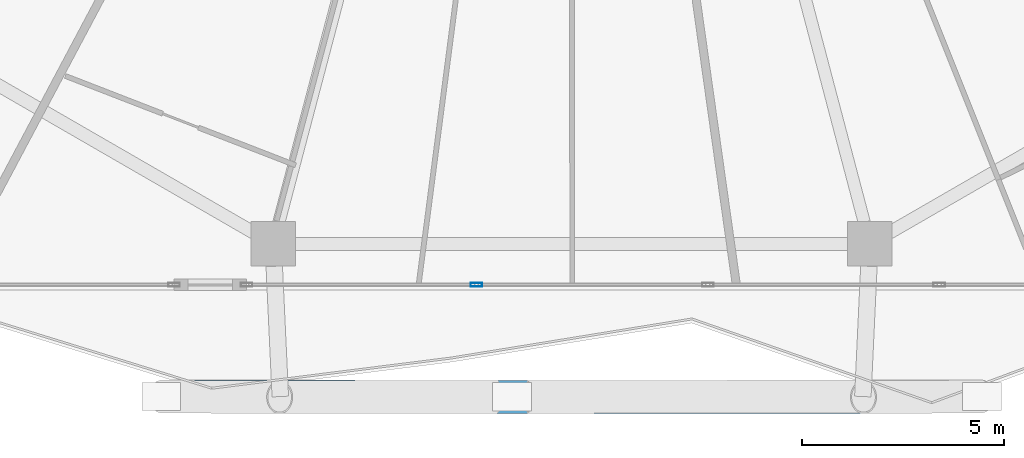
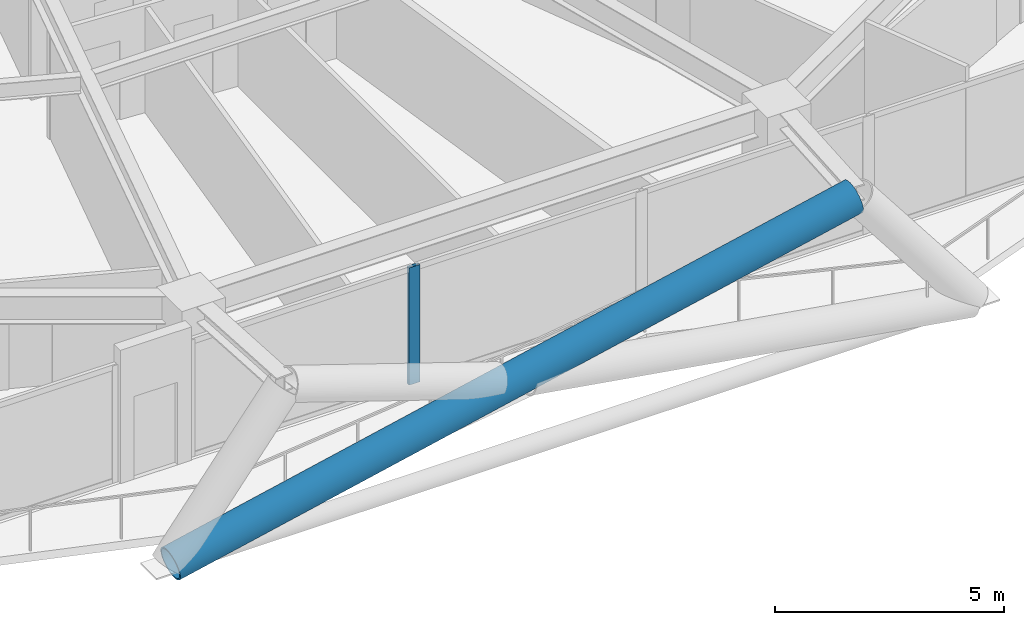
# One storey, part 4 of 35: 2 members, 1 element without a shape of its own.
"""IFC4 building model written with IfcOpenShell, lengths in metres."""

from ifc_helpers import new_model, si_unit, direction, frame, origin, origin_2d, place, context, subcontext, project, spatial, hollow_rectangle, hollow_circle, extrude, material, material_profile, profile_set, type_object, element, aggregate, save


model = new_model("IFC4")

# Units and contexts
model_context = context("Model", 3, precision=1e-05, world=origin(), true_north=direction((0.0, 1.0)))
body_context = subcontext(model_context, "Body", "Model", "MODEL_VIEW")
ifc_project = project(units=[si_unit("LENGTHUNIT", "METRE"), si_unit("AREAUNIT", "SQUARE_METRE"), si_unit("VOLUMEUNIT", "CUBIC_METRE"), si_unit("PLANEANGLEUNIT", "RADIAN"), si_unit("MASSUNIT", "GRAM", prefix="KILO")], contexts=[model_context])

# Site, building, storey
site_placement = place(None, origin())
site = spatial("IfcSite", under=ifc_project, at=site_placement, CompositionType="ELEMENT")
building_placement = place(site_placement, origin())
building = spatial("IfcBuilding", under=site, at=building_placement, Name="Zuhravey Tower", CompositionType="ELEMENT")
storey_placement = place(building_placement, frame((0.0, 0.0, 138.0)))
storey = spatial("IfcBuildingStorey", under=building, at=storey_placement, Name="L34", CompositionType="ELEMENT", Elevation=138.0)

# Curtain wall, member
ifc_material_1 = material(Name="Thermally broken anodised aluminium", Category="aluminium")
curtain_wall_type = type_object("IfcCurtainWallType", Name="Zone 1-2 Residential Curtain Wall CW3", PredefinedType="NOTDEFINED", material=ifc_material_1)
curtain_wall_placement = place(storey_placement, origin())
curtain_wall = element("IfcCurtainWall", 1, at=curtain_wall_placement, inside=storey, type_object=curtain_wall_type, Name="L34 CW3 CW-L34-F5-1", PredefinedType="NOTDEFINED")
ifc_material_2 = material(Name="Anodised aluminium", Category="aluminium")
ifc_material_profile_1 = material_profile(ifc_material_2, hollow_rectangle(XDim=0.090087890625, YDim=0.284912109375, WallThickness=0.0048828125, at=origin_2d()), Name="ALU-RHS-90x285x5")
ifc_profile_set_1 = profile_set([ifc_material_profile_1], Name="Anodised aluminium")
member_type_1 = type_object("IfcMemberType", Name="Curtain-Wall Mullion 90x180", PredefinedType="MULLION", material=ifc_profile_set_1)
member_1_placement = place(storey_placement, frame((33.647216796875, 3.04150390625, 0.0), z_axis=(0.0, 0.0, 1.0), x_axis=(0.0, -1.0, 0.0)))
member_1 = element("IfcMember", 2, at=member_1_placement, type_object=member_type_1, Name="CW3 mullion 4", PredefinedType="MULLION", context=body_context, shape_type="SweptSolid", body=[
    extrude(hollow_rectangle(XDim=0.090087890625, YDim=0.284912109375, WallThickness=0.0048828125, at=origin_2d()), origin(), (0.0, 0.0, 1.0), 3.1220703125),
])
aggregate(curtain_wall, [member_1])

# Member
ifc_material_3 = material(Name="Steel SM460", Category="steel")
ifc_material_profile_2 = material_profile(ifc_material_3, hollow_circle(Radius=0.406494140625, WallThickness=0.035888671875, at=origin_2d()), Name="CHS-812.8x36")
ifc_profile_set_2 = profile_set([ifc_material_profile_2], Name="Steel SM460")
member_type_2 = type_object("IfcMemberType", Name="Exoskeleton Zone 1 Diagrid CHS813x36", PredefinedType="BRACE", material=ifc_profile_set_2)
member_2_placement = place(storey_placement, frame((25.934814453125, 0.281494140625, -0.4482421875), z_axis=(0.976795275838, -0.000846370907, 0.214173464174), x_axis=(0.000866476947, 0.999999624609, 0.0)))
element("IfcMember", 3, at=member_2_placement, inside=storey, type_object=member_type_2, Name="L34 Face 5 Diagrid Brace 2", PredefinedType="BRACE", context=body_context, shape_type="SweptSolid", body=[
    extrude(hollow_circle(Radius=0.406494140625, WallThickness=0.035888671875, at=origin_2d()), origin(), (0.0, 0.0, 1.0), 17.595703125),
])

save(model, "model.ifc")
